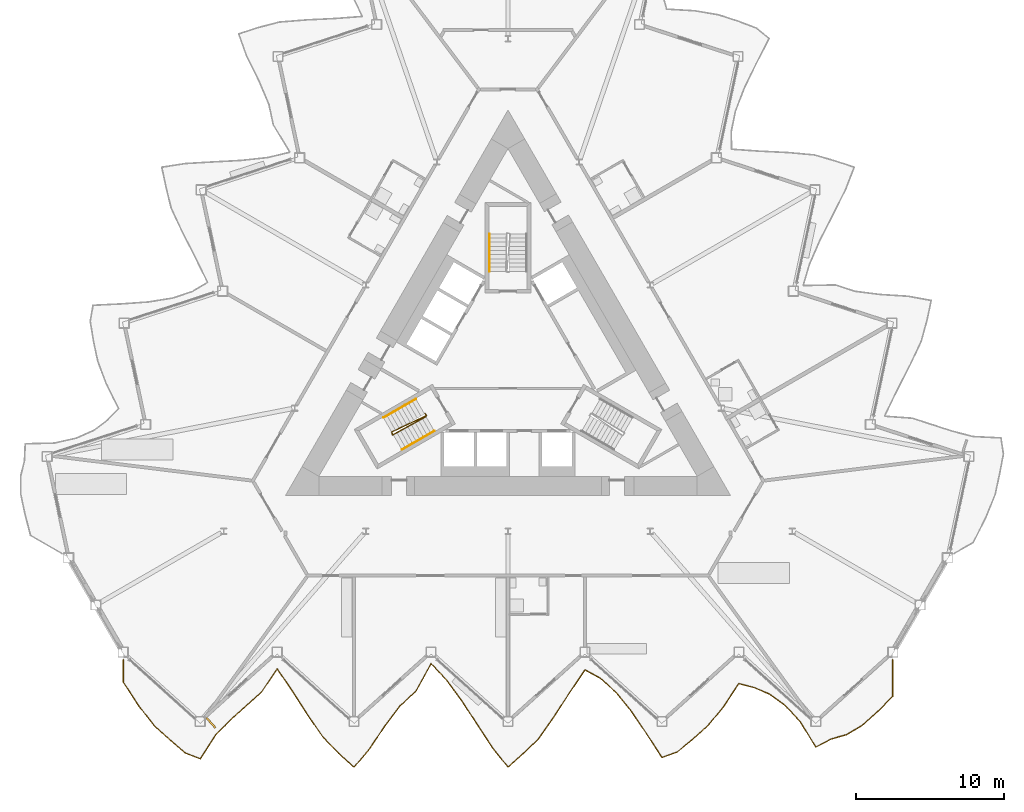
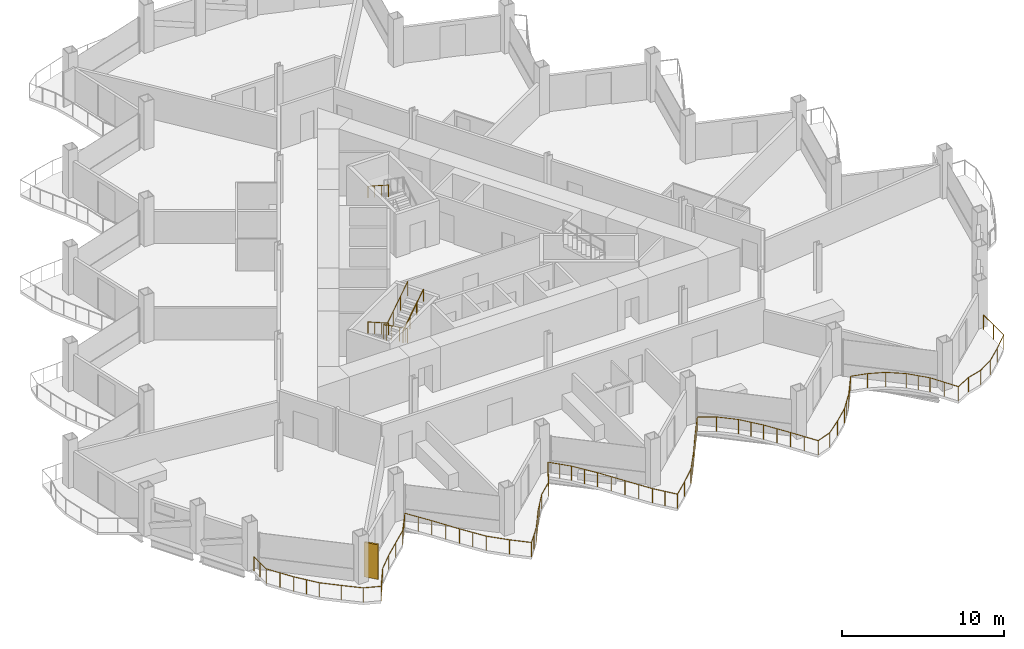
# One storey, part 19 of 24: 5 railings, 1 shading device.
"""IFC4 building model written with IfcOpenShell, lengths in metres."""

from ifc_helpers import new_model, si_unit, direction, frame, origin, origin_2d, place, context, subcontext, project, spatial, rectangle, circle, extrude, material, layer, layer_set, type_object, element, save


model = new_model("IFC4")

# Units and contexts
model_context = context("Model", 3, precision=1e-05, world=origin(), true_north=direction((0.0, 1.0)))
body_context = subcontext(model_context, "Body", "Model", "MODEL_VIEW")
ifc_project = project(units=[si_unit("LENGTHUNIT", "METRE"), si_unit("AREAUNIT", "SQUARE_METRE"), si_unit("VOLUMEUNIT", "CUBIC_METRE"), si_unit("PLANEANGLEUNIT", "RADIAN"), si_unit("MASSUNIT", "GRAM", prefix="KILO")], contexts=[model_context])

# Site, building, storey
site_placement = place(None, origin())
site = spatial("IfcSite", under=ifc_project, at=site_placement, CompositionType="ELEMENT")
building_placement = place(site_placement, origin())
building = spatial("IfcBuilding", under=site, at=building_placement, Name="Cormorant Prow Tower", CompositionType="ELEMENT")
storey_placement = place(building_placement, frame((0.0, 0.0, 274.199951171875)))
storey = spatial("IfcBuildingStorey", under=building, at=storey_placement, Name="L62", CompositionType="ELEMENT", Elevation=274.199951171875)

# Railings
ifc_material_1 = material(Name="Aluminium 6063-T6", Category="aluminium")
railing_type_1 = type_object("IfcRailingType", Name="Balcony guard 1100", PredefinedType="GUARDRAIL", material=ifc_material_1)
railing_1_placement = place(storey_placement, frame((-25.926025390625, -19.7265625, 0.0)))
element("IfcRailing", 1, at=railing_1_placement, inside=storey, type_object=railing_type_1, Name="Balcony guard S", PredefinedType="GUARDRAIL", context=body_context, shape_type="SweptSolid", body=[
    extrude(circle(Radius=0.02392578125, at=origin_2d()), frame((0.0, 0.0, 1.076171875), z_axis=(0.0, -1.0, 0.0), x_axis=(1.0, 0.0, 0.0)), (0.0, 0.0, 1.0), 1.52001953125),
    extrude(circle(Radius=0.02392578125, at=origin_2d()), frame((0.0, -1.52001953125, 1.076171875), z_axis=(0.547541043891, -0.836778826964, 0.0), x_axis=(0.836778826964, 0.547541043891, 0.0)), (0.0, 0.0, 1.0), 1.89404296875),
    extrude(circle(Radius=0.02392578125, at=origin_2d()), frame((1.037109375, -3.10498046875, 1.076171875), z_axis=(0.614110780822, -0.789219835584, 0.0), x_axis=(0.789219835584, 0.614110780822, 0.0)), (0.0, 0.0, 1.0), 1.6884765625),
    extrude(circle(Radius=0.02392578125, at=origin_2d()), frame((2.073974609375, -4.4375, 1.076171875), z_axis=(0.74313755135, -0.669138685008, 0.0), x_axis=(0.669138685008, 0.74313755135, 0.0)), (0.0, 0.0, 1.0), 1.3955078125),
    extrude(circle(Radius=0.02392578125, at=origin_2d()), frame((3.111083984375, -5.371337890625, 1.076171875), z_axis=(0.755213748372, -0.655478599399, 0.0), x_axis=(0.655478599399, 0.755213748372, 0.0)), (0.0, 0.0, 1.0), 1.373291015625),
    extrude(circle(Radius=0.02392578125, at=origin_2d()), frame((4.148193359375, -6.271484375, 1.076171875), z_axis=(0.931262185071, -0.364349753199, 0.0), x_axis=(0.364349753199, 0.931262185071, 0.0)), (0.0, 0.0, 1.0), 1.11376953125),
    extrude(circle(Radius=0.02392578125, at=origin_2d()), frame((5.185302734375, -6.67724609375, 1.076171875), z_axis=(0.542758382766, 0.83988888428, 0.0), x_axis=(-0.83988888428, 0.542758382766, 0.0)), (0.0, 0.0, 1.0), 1.910400390625),
    extrude(circle(Radius=0.02392578125, at=origin_2d()), frame((6.22216796875, -5.07275390625, 1.076171875), z_axis=(0.702213483406, 0.711966448453, 0.0), x_axis=(-0.711966448453, 0.702213483406, 0.0)), (0.0, 0.0, 1.0), 1.476806640625),
    extrude(circle(Radius=0.02392578125, at=origin_2d()), frame((7.25927734375, -4.021240234375, 1.076171875), z_axis=(0.74313755135, 0.669138685008, 0.0), x_axis=(-0.669138685008, 0.74313755135, 0.0)), (0.0, 0.0, 1.0), 1.3955078125),
    extrude(circle(Radius=0.02392578125, at=origin_2d()), frame((8.29638671875, -3.08740234375, 1.076171875), z_axis=(0.743146215582, 0.669129062488, 0.0), x_axis=(-0.669129062488, 0.743146215582, 0.0)), (0.0, 0.0, 1.0), 1.395263671875),
    extrude(circle(Radius=0.02392578125, at=origin_2d()), frame((9.333251953125, -2.15380859375, 1.076171875), z_axis=(0.560288076528, 0.828297815583, 0.0), x_axis=(-0.828297815583, 0.560288076528, 0.0)), (0.0, 0.0, 1.0), 1.85107421875),
    extrude(circle(Radius=0.02392578125, at=origin_2d()), frame((10.370361328125, -0.62060546875, 1.076171875), z_axis=(0.564226721732, -0.825619892253, 0.0), x_axis=(0.825619892253, 0.564226721732, 0.0)), (0.0, 0.0, 1.0), 1.838134765625),
    extrude(circle(Radius=0.02392578125, at=origin_2d()), frame((11.407470703125, -2.13818359375, 1.076171875), z_axis=(0.54151117577, -0.840693550895, 0.0), x_axis=(0.840693550895, 0.54151117577, 0.0)), (0.0, 0.0, 1.0), 1.915283203125),
    extrude(circle(Radius=0.02392578125, at=origin_2d()), frame((12.444580078125, -3.748291015625, 1.076171875), z_axis=(0.567492498185, -0.823378566945, 0.0), x_axis=(0.823378566945, 0.567492498185, 0.0)), (0.0, 0.0, 1.0), 1.8271484375),
    extrude(circle(Radius=0.02392578125, at=origin_2d()), frame((13.4814453125, -5.252685546875, 1.076171875), z_axis=(0.701965595228, -0.712210855798, 0.0), x_axis=(0.712210855798, 0.701965595228, 0.0)), (0.0, 0.0, 1.0), 1.4775390625),
    extrude(circle(Radius=0.02392578125, at=origin_2d()), frame((14.5185546875, -6.304931640625, 1.076171875), z_axis=(0.74313755135, -0.669138685008, 0.0), x_axis=(0.669138685008, 0.74313755135, 0.0)), (0.0, 0.0, 1.0), 1.3955078125),
    extrude(circle(Radius=0.02392578125, at=origin_2d()), frame((15.5556640625, -7.23876953125, 1.076171875), z_axis=(0.647382895173, 0.762164934275, 0.0), x_axis=(-0.762164934275, 0.647382895173, 0.0)), (0.0, 0.0, 1.0), 1.6015625),
    extrude(circle(Radius=0.02392578125, at=origin_2d()), frame((16.592529296875, -6.01806640625, 1.076171875), z_axis=(0.553316739633, 0.832970939254, 0.0), x_axis=(-0.832970939254, 0.553316739633, 0.0)), (0.0, 0.0, 1.0), 1.874267578125),
    extrude(circle(Radius=0.02392578125, at=origin_2d()), frame((17.629638671875, -4.456787109375, 1.076171875), z_axis=(0.60374549144, 0.797177133118, 0.0), x_axis=(-0.797177133118, 0.60374549144, 0.0)), (0.0, 0.0, 1.0), 1.7177734375),
    extrude(circle(Radius=0.02392578125, at=origin_2d()), frame((18.666748046875, -3.08740234375, 1.076171875), z_axis=(0.743146215582, 0.669129062488, 0.0), x_axis=(-0.669129062488, 0.743146215582, 0.0)), (0.0, 0.0, 1.0), 1.395263671875),
    extrude(circle(Radius=0.02392578125, at=origin_2d()), frame((19.70361328125, -2.15380859375, 1.076171875), z_axis=(0.48242873461, 0.875935223645, 0.0), x_axis=(-0.875935223645, 0.48242873461, 0.0)), (0.0, 0.0, 1.0), 2.149658203125),
    extrude(circle(Radius=0.02392578125, at=origin_2d()), frame((20.74072265625, -0.270751953125, 1.076171875), z_axis=(0.688148934059, -0.725569462253, 0.0), x_axis=(0.725569462253, 0.688148934059, 0.0)), (0.0, 0.0, 1.0), 1.507080078125),
    extrude(circle(Radius=0.02392578125, at=origin_2d()), frame((21.77783203125, -1.3642578125, 1.076171875), z_axis=(0.5918105085, -0.806077119157, 0.0), x_axis=(0.806077119157, 0.5918105085, 0.0)), (0.0, 0.0, 1.0), 1.75244140625),
    extrude(circle(Radius=0.02392578125, at=origin_2d()), frame((22.81494140625, -2.77685546875, 1.076171875), z_axis=(0.545859970661, -0.837876418352, 0.0), x_axis=(0.837876418352, 0.545859970661, 0.0)), (0.0, 0.0, 1.0), 1.8994140625),
    extrude(circle(Radius=0.02392578125, at=origin_2d()), frame((23.851806640625, -4.368408203125, 1.076171875), z_axis=(0.549317217459, -0.83561390283, 0.0), x_axis=(0.83561390283, 0.549317217459, 0.0)), (0.0, 0.0, 1.0), 1.887939453125),
    extrude(circle(Radius=0.02392578125, at=origin_2d()), frame((24.888916015625, -5.946044921875, 1.076171875), z_axis=(0.625772329513, -0.780005763835, 0.0), x_axis=(0.780005763835, 0.625772329513, 0.0)), (0.0, 0.0, 1.0), 1.6572265625),
    extrude(circle(Radius=0.02392578125, at=origin_2d()), frame((25.926025390625, -7.23876953125, 1.076171875), z_axis=(0.74313755135, 0.669138685008, 0.0), x_axis=(-0.669138685008, 0.74313755135, 0.0)), (0.0, 0.0, 1.0), 1.3955078125),
    extrude(circle(Radius=0.02392578125, at=origin_2d()), frame((26.963134765625, -6.304931640625, 1.076171875), z_axis=(0.721478951777, 0.692436366854, 0.0), x_axis=(-0.692436366854, 0.721478951777, 0.0)), (0.0, 0.0, 1.0), 1.4375),
    extrude(circle(Radius=0.02392578125, at=origin_2d()), frame((28.000244140625, -5.3095703125, 1.076171875), z_axis=(0.574487760884, 0.818513171912, 0.0), x_axis=(-0.818513171912, 0.574487760884, 0.0)), (0.0, 0.0, 1.0), 1.804931640625),
    extrude(circle(Radius=0.02392578125, at=origin_2d()), frame((29.037109375, -3.832275390625, 1.076171875), z_axis=(0.542150125271, 0.840281644253, 0.0), x_axis=(-0.840281644253, 0.542150125271, 0.0)), (0.0, 0.0, 1.0), 1.912841796875),
    extrude(circle(Radius=0.02392578125, at=origin_2d()), frame((30.07421875, -2.224853515625, 1.076171875), z_axis=(0.558456401722, 0.829533873556, 0.0), x_axis=(-0.829533873556, 0.558456401722, 0.0)), (0.0, 0.0, 1.0), 1.857177734375),
    extrude(circle(Radius=0.02392578125, at=origin_2d()), frame((31.111328125, -0.684326171875, 1.076171875), z_axis=(0.875727979387, -0.482804832327, 0.0), x_axis=(0.482804832327, 0.875727979387, 0.0)), (0.0, 0.0, 1.0), 1.184326171875),
    extrude(circle(Radius=0.02392578125, at=origin_2d()), frame((32.1484375, -1.256103515625, 1.076171875), z_axis=(0.747069541914, -0.664745890957, 0.0), x_axis=(0.664745890957, 0.747069541914, 0.0)), (0.0, 0.0, 1.0), 1.387939453125),
    extrude(circle(Radius=0.02392578125, at=origin_2d()), frame((33.185302734375, -2.1787109375, 1.076171875), z_axis=(0.630614979634, -0.776095836518, 0.0), x_axis=(0.776095836518, 0.630614979634, 0.0)), (0.0, 0.0, 1.0), 1.64453125),
    extrude(circle(Radius=0.02392578125, at=origin_2d()), frame((34.222412109375, -3.455078125, 1.076171875), z_axis=(0.561023343605, -0.82779998063, 0.0), x_axis=(0.82779998063, 0.561023343605, 0.0)), (0.0, 0.0, 1.0), 1.8486328125),
    extrude(circle(Radius=0.02392578125, at=origin_2d()), frame((35.259521484375, -4.9853515625, 1.076171875), z_axis=(0.541653272519, -0.840602005927, 0.0), x_axis=(0.840602005927, 0.541653272519, 0.0)), (0.0, 0.0, 1.0), 1.914306640625),
    extrude(circle(Radius=0.02392578125, at=origin_2d()), frame((36.29638671875, -6.594482421875, 1.076171875), z_axis=(0.939774044394, 0.341796350892, 0.0), x_axis=(-0.341796350892, 0.939774044394, 0.0)), (0.0, 0.0, 1.0), 1.103515625),
    extrude(circle(Radius=0.02392578125, at=origin_2d()), frame((37.33349609375, -6.21728515625, 1.076171875), z_axis=(0.774907342809, 0.6320748453, 0.0), x_axis=(-0.6320748453, 0.774907342809, 0.0)), (0.0, 0.0, 1.0), 1.33837890625),
    extrude(circle(Radius=0.02392578125, at=origin_2d()), frame((38.37060546875, -5.371337890625, 1.076171875), z_axis=(0.743059208084, 0.669225681875, 0.0), x_axis=(-0.669225681875, 0.743059208084, 0.0)), (0.0, 0.0, 1.0), 1.3955078125),
    extrude(circle(Radius=0.02392578125, at=origin_2d()), frame((39.407470703125, -4.4375, 1.076171875), z_axis=(0.635948602471, 0.77173141378, 0.0), x_axis=(-0.77173141378, 0.635948602471, 0.0)), (0.0, 0.0, 1.0), 1.630859375),
    extrude(circle(Radius=0.02392578125, at=origin_2d()), frame((40.444580078125, -3.178955078125, 1.076171875), z_axis=(0.551102441213, 0.834437594605, 0.0), x_axis=(-0.834437594605, 0.551102441213, 0.0)), (0.0, 0.0, 1.0), 1.8818359375),
    extrude(circle(Radius=0.02392578125, at=origin_2d()), frame((41.481689453125, -1.608642578125, 1.076171875), z_axis=(0.967459880376, -0.253024464948, 0.0), x_axis=(0.253024464948, 0.967459880376, 0.0)), (0.0, 0.0, 1.0), 1.072021484375),
    extrude(circle(Radius=0.02392578125, at=origin_2d()), frame((42.518798828125, -1.8798828125, 1.076171875), z_axis=(0.920796597535, -0.390043107833, 0.0), x_axis=(0.390043107833, 0.920796597535, 0.0)), (0.0, 0.0, 1.0), 1.1259765625),
    extrude(circle(Radius=0.02392578125, at=origin_2d()), frame((43.5556640625, -2.319091796875, 1.076171875), z_axis=(0.809501760751, -0.587117449358, 0.0), x_axis=(0.587117449358, 0.809501760751, 0.0)), (0.0, 0.0, 1.0), 1.28125),
    extrude(circle(Radius=0.02392578125, at=origin_2d()), frame((44.5927734375, -3.0712890625, 1.076171875), z_axis=(0.680033456826, -0.733181081041, 0.0), x_axis=(0.733181081041, 0.680033456826, 0.0)), (0.0, 0.0, 1.0), 1.525146484375),
    extrude(circle(Radius=0.02392578125, at=origin_2d()), frame((45.6298828125, -4.189453125, 1.076171875), z_axis=(0.520884337914, -0.853627264394, 0.0), x_axis=(0.853627264394, 0.520884337914, 0.0)), (0.0, 0.0, 1.0), 1.990478515625),
    extrude(circle(Radius=0.02392578125, at=origin_2d()), frame((46.666748046875, -5.888671875, 1.076171875), z_axis=(0.887127885549, 0.461523688104, 0.0), x_axis=(-0.461523688104, 0.887127885549, 0.0)), (0.0, 0.0, 1.0), 1.1689453125),
    extrude(circle(Radius=0.02392578125, at=origin_2d()), frame((47.703857421875, -5.34912109375, 1.076171875), z_axis=(0.961087325706, 0.276244732742, 0.0), x_axis=(-0.276244732742, 0.961087325706, 0.0)), (0.0, 0.0, 1.0), 1.0791015625),
    extrude(circle(Radius=0.02392578125, at=origin_2d()), frame((48.740966796875, -5.051025390625, 1.076171875), z_axis=(0.860676345197, 0.509152461271, 0.0), x_axis=(-0.509152461271, 0.860676345197, 0.0)), (0.0, 0.0, 1.0), 1.205078125),
    extrude(circle(Radius=0.02392578125, at=origin_2d()), frame((49.778076171875, -4.4375, 1.076171875), z_axis=(0.743059208084, 0.669225681875, 0.0), x_axis=(-0.669225681875, 0.743059208084, 0.0)), (0.0, 0.0, 1.0), 1.3955078125),
    extrude(circle(Radius=0.02392578125, at=origin_2d()), frame((50.81494140625, -3.503662109375, 1.076171875), z_axis=(0.711280362901, 0.702908418893, 0.0), x_axis=(-0.702908418893, 0.711280362901, 0.0)), (0.0, 0.0, 1.0), 1.4580078125),
    extrude(circle(Radius=0.02392578125, at=origin_2d()), frame((51.85205078125, -2.478759765625, 1.076171875), z_axis=(0.0, 1.0, 0.0), x_axis=(-1.0, 0.0, 0.0)), (0.0, 0.0, 1.0), 2.478759765625),
    extrude(circle(Radius=0.02099609375, at=origin_2d()), origin(), (0.0, 0.0, 1.0), 1.052001953125),
    extrude(circle(Radius=0.02099609375, at=origin_2d()), frame((0.0, -0.760009765625, 0.0)), (0.0, 0.0, 1.0), 1.052001953125),
    extrude(circle(Radius=0.02099609375, at=origin_2d()), frame((0.0, -1.52001953125, 0.0)), (0.0, 0.0, 1.0), 1.052001953125),
    extrude(circle(Radius=0.02099609375, at=origin_2d()), frame((0.5185546875, -2.3125, 0.0)), (0.0, 0.0, 1.0), 1.052001953125),
    extrude(circle(Radius=0.02099609375, at=origin_2d()), frame((1.037109375, -3.10498046875, 0.0)), (0.0, 0.0, 1.0), 1.052001953125),
    extrude(circle(Radius=0.02099609375, at=origin_2d()), frame((1.5556640625, -3.771240234375, 0.0)), (0.0, 0.0, 1.0), 1.052001953125),
    extrude(circle(Radius=0.02099609375, at=origin_2d()), frame((2.073974609375, -4.4375, 0.0)), (0.0, 0.0, 1.0), 1.052001953125),
    extrude(circle(Radius=0.02099609375, at=origin_2d()), frame((3.111083984375, -5.371337890625, 0.0)), (0.0, 0.0, 1.0), 1.052001953125),
    extrude(circle(Radius=0.02099609375, at=origin_2d()), frame((4.148193359375, -6.271484375, 0.0)), (0.0, 0.0, 1.0), 1.052001953125),
    extrude(circle(Radius=0.02099609375, at=origin_2d()), frame((5.185302734375, -6.67724609375, 0.0)), (0.0, 0.0, 1.0), 1.052001953125),
    extrude(circle(Radius=0.02099609375, at=origin_2d()), frame((5.70361328125, -5.875, 0.0)), (0.0, 0.0, 1.0), 1.052001953125),
    extrude(circle(Radius=0.02099609375, at=origin_2d()), frame((6.22216796875, -5.07275390625, 0.0)), (0.0, 0.0, 1.0), 1.052001953125),
    extrude(circle(Radius=0.02099609375, at=origin_2d()), frame((7.25927734375, -4.021240234375, 0.0)), (0.0, 0.0, 1.0), 1.052001953125),
    extrude(circle(Radius=0.02099609375, at=origin_2d()), frame((8.29638671875, -3.08740234375, 0.0)), (0.0, 0.0, 1.0), 1.052001953125),
    extrude(circle(Radius=0.02099609375, at=origin_2d()), frame((9.333251953125, -2.15380859375, 0.0)), (0.0, 0.0, 1.0), 1.052001953125),
    extrude(circle(Radius=0.02099609375, at=origin_2d()), frame((9.851806640625, -1.38720703125, 0.0)), (0.0, 0.0, 1.0), 1.052001953125),
    extrude(circle(Radius=0.02099609375, at=origin_2d()), frame((10.370361328125, -0.62060546875, 0.0)), (0.0, 0.0, 1.0), 1.052001953125),
    extrude(circle(Radius=0.02099609375, at=origin_2d()), frame((10.888916015625, -1.37939453125, 0.0)), (0.0, 0.0, 1.0), 1.052001953125),
    extrude(circle(Radius=0.02099609375, at=origin_2d()), frame((11.407470703125, -2.13818359375, 0.0)), (0.0, 0.0, 1.0), 1.052001953125),
    extrude(circle(Radius=0.02099609375, at=origin_2d()), frame((11.926025390625, -2.943359375, 0.0)), (0.0, 0.0, 1.0), 1.052001953125),
    extrude(circle(Radius=0.02099609375, at=origin_2d()), frame((12.444580078125, -3.748291015625, 0.0)), (0.0, 0.0, 1.0), 1.052001953125),
    extrude(circle(Radius=0.02099609375, at=origin_2d()), frame((12.962890625, -4.50048828125, 0.0)), (0.0, 0.0, 1.0), 1.052001953125),
    extrude(circle(Radius=0.02099609375, at=origin_2d()), frame((13.4814453125, -5.252685546875, 0.0)), (0.0, 0.0, 1.0), 1.052001953125),
    extrude(circle(Radius=0.02099609375, at=origin_2d()), frame((14.5185546875, -6.304931640625, 0.0)), (0.0, 0.0, 1.0), 1.052001953125),
    extrude(circle(Radius=0.02099609375, at=origin_2d()), frame((15.5556640625, -7.23876953125, 0.0)), (0.0, 0.0, 1.0), 1.052001953125),
    extrude(circle(Radius=0.02099609375, at=origin_2d()), frame((16.07421875, -6.62841796875, 0.0)), (0.0, 0.0, 1.0), 1.052001953125),
    extrude(circle(Radius=0.02099609375, at=origin_2d()), frame((16.592529296875, -6.01806640625, 0.0)), (0.0, 0.0, 1.0), 1.052001953125),
    extrude(circle(Radius=0.02099609375, at=origin_2d()), frame((17.111083984375, -5.2373046875, 0.0)), (0.0, 0.0, 1.0), 1.052001953125),
    extrude(circle(Radius=0.02099609375, at=origin_2d()), frame((17.629638671875, -4.456787109375, 0.0)), (0.0, 0.0, 1.0), 1.052001953125),
    extrude(circle(Radius=0.02099609375, at=origin_2d()), frame((18.148193359375, -3.77197265625, 0.0)), (0.0, 0.0, 1.0), 1.052001953125),
    extrude(circle(Radius=0.02099609375, at=origin_2d()), frame((18.666748046875, -3.08740234375, 0.0)), (0.0, 0.0, 1.0), 1.052001953125),
    extrude(circle(Radius=0.02099609375, at=origin_2d()), frame((19.70361328125, -2.15380859375, 0.0)), (0.0, 0.0, 1.0), 1.052001953125),
    extrude(circle(Radius=0.02099609375, at=origin_2d()), frame((20.22216796875, -1.21240234375, 0.0)), (0.0, 0.0, 1.0), 1.052001953125),
    extrude(circle(Radius=0.02099609375, at=origin_2d()), frame((20.74072265625, -0.270751953125, 0.0)), (0.0, 0.0, 1.0), 1.052001953125),
    extrude(circle(Radius=0.02099609375, at=origin_2d()), frame((21.25927734375, -0.8173828125, 0.0)), (0.0, 0.0, 1.0), 1.052001953125),
    extrude(circle(Radius=0.02099609375, at=origin_2d()), frame((21.77783203125, -1.3642578125, 0.0)), (0.0, 0.0, 1.0), 1.052001953125),
    extrude(circle(Radius=0.02099609375, at=origin_2d()), frame((22.29638671875, -2.070556640625, 0.0)), (0.0, 0.0, 1.0), 1.052001953125),
    extrude(circle(Radius=0.02099609375, at=origin_2d()), frame((22.81494140625, -2.77685546875, 0.0)), (0.0, 0.0, 1.0), 1.052001953125),
    extrude(circle(Radius=0.02099609375, at=origin_2d()), frame((23.33349609375, -3.57275390625, 0.0)), (0.0, 0.0, 1.0), 1.052001953125),
    extrude(circle(Radius=0.02099609375, at=origin_2d()), frame((23.851806640625, -4.368408203125, 0.0)), (0.0, 0.0, 1.0), 1.052001953125),
    extrude(circle(Radius=0.02099609375, at=origin_2d()), frame((24.370361328125, -5.1572265625, 0.0)), (0.0, 0.0, 1.0), 1.052001953125),
    extrude(circle(Radius=0.02099609375, at=origin_2d()), frame((24.888916015625, -5.946044921875, 0.0)), (0.0, 0.0, 1.0), 1.052001953125),
    extrude(circle(Radius=0.02099609375, at=origin_2d()), frame((25.407470703125, -6.59228515625, 0.0)), (0.0, 0.0, 1.0), 1.052001953125),
    extrude(circle(Radius=0.02099609375, at=origin_2d()), frame((25.926025390625, -7.23876953125, 0.0)), (0.0, 0.0, 1.0), 1.052001953125),
    extrude(circle(Radius=0.02099609375, at=origin_2d()), frame((26.963134765625, -6.304931640625, 0.0)), (0.0, 0.0, 1.0), 1.052001953125),
    extrude(circle(Radius=0.02099609375, at=origin_2d()), frame((28.000244140625, -5.3095703125, 0.0)), (0.0, 0.0, 1.0), 1.052001953125),
    extrude(circle(Radius=0.02099609375, at=origin_2d()), frame((28.5185546875, -4.57080078125, 0.0)), (0.0, 0.0, 1.0), 1.052001953125),
    extrude(circle(Radius=0.02099609375, at=origin_2d()), frame((29.037109375, -3.832275390625, 0.0)), (0.0, 0.0, 1.0), 1.052001953125),
    extrude(circle(Radius=0.02099609375, at=origin_2d()), frame((29.5556640625, -3.028564453125, 0.0)), (0.0, 0.0, 1.0), 1.052001953125),
    extrude(circle(Radius=0.02099609375, at=origin_2d()), frame((30.07421875, -2.224853515625, 0.0)), (0.0, 0.0, 1.0), 1.052001953125),
    extrude(circle(Radius=0.02099609375, at=origin_2d()), frame((30.5927734375, -1.45458984375, 0.0)), (0.0, 0.0, 1.0), 1.052001953125),
    extrude(circle(Radius=0.02099609375, at=origin_2d()), frame((31.111328125, -0.684326171875, 0.0)), (0.0, 0.0, 1.0), 1.052001953125),
    extrude(circle(Radius=0.02099609375, at=origin_2d()), frame((32.1484375, -1.256103515625, 0.0)), (0.0, 0.0, 1.0), 1.052001953125),
    extrude(circle(Radius=0.02099609375, at=origin_2d()), frame((33.185302734375, -2.1787109375, 0.0)), (0.0, 0.0, 1.0), 1.052001953125),
    extrude(circle(Radius=0.02099609375, at=origin_2d()), frame((33.703857421875, -2.81689453125, 0.0)), (0.0, 0.0, 1.0), 1.052001953125),
    extrude(circle(Radius=0.02099609375, at=origin_2d()), frame((34.222412109375, -3.455078125, 0.0)), (0.0, 0.0, 1.0), 1.052001953125),
    extrude(circle(Radius=0.02099609375, at=origin_2d()), frame((34.740966796875, -4.22021484375, 0.0)), (0.0, 0.0, 1.0), 1.052001953125),
    extrude(circle(Radius=0.02099609375, at=origin_2d()), frame((35.259521484375, -4.9853515625, 0.0)), (0.0, 0.0, 1.0), 1.052001953125),
    extrude(circle(Radius=0.02099609375, at=origin_2d()), frame((35.77783203125, -5.7900390625, 0.0)), (0.0, 0.0, 1.0), 1.052001953125),
    extrude(circle(Radius=0.02099609375, at=origin_2d()), frame((36.29638671875, -6.594482421875, 0.0)), (0.0, 0.0, 1.0), 1.052001953125),
    extrude(circle(Radius=0.02099609375, at=origin_2d()), frame((37.33349609375, -6.21728515625, 0.0)), (0.0, 0.0, 1.0), 1.052001953125),
    extrude(circle(Radius=0.02099609375, at=origin_2d()), frame((38.37060546875, -5.371337890625, 0.0)), (0.0, 0.0, 1.0), 1.052001953125),
    extrude(circle(Radius=0.02099609375, at=origin_2d()), frame((39.407470703125, -4.4375, 0.0)), (0.0, 0.0, 1.0), 1.052001953125),
    extrude(circle(Radius=0.02099609375, at=origin_2d()), frame((39.926025390625, -3.80810546875, 0.0)), (0.0, 0.0, 1.0), 1.052001953125),
    extrude(circle(Radius=0.02099609375, at=origin_2d()), frame((40.444580078125, -3.178955078125, 0.0)), (0.0, 0.0, 1.0), 1.052001953125),
    extrude(circle(Radius=0.02099609375, at=origin_2d()), frame((40.963134765625, -2.393798828125, 0.0)), (0.0, 0.0, 1.0), 1.052001953125),
    extrude(circle(Radius=0.02099609375, at=origin_2d()), frame((41.481689453125, -1.608642578125, 0.0)), (0.0, 0.0, 1.0), 1.052001953125),
    extrude(circle(Radius=0.02099609375, at=origin_2d()), frame((42.518798828125, -1.8798828125, 0.0)), (0.0, 0.0, 1.0), 1.052001953125),
    extrude(circle(Radius=0.02099609375, at=origin_2d()), frame((43.5556640625, -2.319091796875, 0.0)), (0.0, 0.0, 1.0), 1.052001953125),
    extrude(circle(Radius=0.02099609375, at=origin_2d()), frame((44.5927734375, -3.0712890625, 0.0)), (0.0, 0.0, 1.0), 1.052001953125),
    extrude(circle(Radius=0.02099609375, at=origin_2d()), frame((45.111328125, -3.63037109375, 0.0)), (0.0, 0.0, 1.0), 1.052001953125),
    extrude(circle(Radius=0.02099609375, at=origin_2d()), frame((45.6298828125, -4.189453125, 0.0)), (0.0, 0.0, 1.0), 1.052001953125),
    extrude(circle(Radius=0.02099609375, at=origin_2d()), frame((46.1484375, -5.0390625, 0.0)), (0.0, 0.0, 1.0), 1.052001953125),
    extrude(circle(Radius=0.02099609375, at=origin_2d()), frame((46.666748046875, -5.888671875, 0.0)), (0.0, 0.0, 1.0), 1.052001953125),
    extrude(circle(Radius=0.02099609375, at=origin_2d()), frame((47.703857421875, -5.34912109375, 0.0)), (0.0, 0.0, 1.0), 1.052001953125),
    extrude(circle(Radius=0.02099609375, at=origin_2d()), frame((48.740966796875, -5.051025390625, 0.0)), (0.0, 0.0, 1.0), 1.052001953125),
    extrude(circle(Radius=0.02099609375, at=origin_2d()), frame((49.778076171875, -4.4375, 0.0)), (0.0, 0.0, 1.0), 1.052001953125),
    extrude(circle(Radius=0.02099609375, at=origin_2d()), frame((50.81494140625, -3.503662109375, 0.0)), (0.0, 0.0, 1.0), 1.052001953125),
    extrude(circle(Radius=0.02099609375, at=origin_2d()), frame((51.85205078125, -2.478759765625, 0.0)), (0.0, 0.0, 1.0), 1.052001953125),
    extrude(circle(Radius=0.02099609375, at=origin_2d()), frame((51.85205078125, -1.2392578125, 0.0)), (0.0, 0.0, 1.0), 1.052001953125),
    extrude(circle(Radius=0.02099609375, at=origin_2d()), frame((51.85205078125, 0.0, 0.0)), (0.0, 0.0, 1.0), 1.052001953125),
])
ifc_material_2 = material(Name="Stainless steel", Category="steel")
railing_type_2 = type_object("IfcRailingType", Name="Stair guard 1100", PredefinedType="GUARDRAIL", material=ifc_material_2)
railing_2_placement = place(storey_placement, frame((-5.585205078125, -3.137939453125, 0.0)))
element("IfcRailing", 2, at=railing_2_placement, inside=storey, type_object=railing_type_2, Name="L62 ST1 stair guard 1", PredefinedType="GUARDRAIL", context=body_context, shape_type="SweptSolid", body=[
    extrude(circle(Radius=0.02392578125, at=origin_2d()), frame((0.0, 0.0, 1.076171875), z_axis=(0.501036270542, -0.865426285481, 0.0), x_axis=(0.865426285481, 0.501036270542, 0.0)), (0.0, 0.0, 1.0), 0.150146484375),
    extrude(circle(Radius=0.02392578125, at=origin_2d()), frame((0.0751953125, -0.1298828125, 1.076171875), z_axis=(-0.739707038506, -0.353624380995, 0.572523619033), x_axis=(0.431308035802, -0.902204731895, 0.0)), (0.0, 0.0, 1.0), 3.14404296875),
    extrude(circle(Radius=0.02392578125, at=origin_2d()), frame((-2.25048828125, -1.24169921875, 2.8759765625), z_axis=(0.274721127897, -0.961523947641, 0.0), x_axis=(0.961523947641, 0.274721127897, 0.0)), (0.0, 0.0, 1.0), 0.2060546875),
    extrude(circle(Radius=0.02392578125, at=origin_2d()), frame((-2.19384765625, -1.43994140625, 2.8759765625), z_axis=(0.717223475266, 0.39568267656, 0.573607623727), x_axis=(-0.483052234887, 0.87559153626, 0.0)), (0.0, 0.0, 1.0), 3.13818359375),
    extrude(circle(Radius=0.02099609375, at=origin_2d()), origin(), (0.0, 0.0, 1.0), 1.052001953125),
    extrude(circle(Radius=0.02099609375, at=origin_2d()), frame((0.0751953125, -0.1298828125, 0.0)), (0.0, 0.0, 1.0), 1.052001953125),
    extrude(circle(Radius=0.02099609375, at=origin_2d()), frame((-0.699951171875, -0.50048828125, 0.60009765625)), (0.0, 0.0, 1.0), 1.052001953125),
    extrude(circle(Radius=0.02099609375, at=origin_2d()), frame((-1.475341796875, -0.87109375, 1.199951171875)), (0.0, 0.0, 1.0), 1.052001953125),
    extrude(circle(Radius=0.02099609375, at=origin_2d()), frame((-2.25048828125, -1.24169921875, 1.800048828125)), (0.0, 0.0, 1.0), 1.052001953125),
    extrude(circle(Radius=0.02099609375, at=origin_2d()), frame((-2.19384765625, -1.43994140625, 1.800048828125)), (0.0, 0.0, 1.0), 1.052001953125),
    extrude(circle(Radius=0.02099609375, at=origin_2d()), frame((-1.443603515625, -1.026123046875, 2.400146484375)), (0.0, 0.0, 1.0), 1.052001953125),
    extrude(circle(Radius=0.02099609375, at=origin_2d()), frame((-0.693359375, -0.612060546875, 3.0)), (0.0, 0.0, 1.0), 1.052001953125),
    extrude(circle(Radius=0.02099609375, at=origin_2d()), frame((0.056884765625, -0.1982421875, 3.60009765625)), (0.0, 0.0, 1.0), 1.052001953125),
])
ifc_material_3 = material(Name="Stainless steel", Category="steel")
railing_type_3 = type_object("IfcRailingType", Name="Stair handrail 900", PredefinedType="HANDRAIL", material=ifc_material_3)
railing_3_placement = place(storey_placement, frame((-6.212890625, -2.150634765625, 0.179931640625)))
element("IfcRailing", 3, at=railing_3_placement, inside=storey, type_object=railing_type_3, Name="L62 ST1 stair handrail 1", PredefinedType="HANDRAIL", context=body_context, shape_type="SweptSolid", body=[
    extrude(circle(Radius=0.02392578125, at=origin_2d()), frame((0.0, 0.0, 0.8759765625), z_axis=(-0.728463801763, -0.420584145978, 0.540785970299), x_axis=(0.500004791531, -0.866022637375, 0.0)), (0.0, 0.0, 1.0), 2.995849609375),
    extrude(circle(Radius=0.02099609375, at=origin_2d()), origin(), (0.0, 0.0, 1.0), 0.851806640625),
    extrude(circle(Radius=0.02099609375, at=origin_2d()), frame((-0.7275390625, -0.419921875, 0.5400390625)), (0.0, 0.0, 1.0), 0.851806640625),
    extrude(circle(Radius=0.02099609375, at=origin_2d()), frame((-1.454833984375, -0.840087890625, 1.080078125)), (0.0, 0.0, 1.0), 0.851806640625),
    extrude(circle(Radius=0.02099609375, at=origin_2d()), frame((-2.182373046875, -1.260009765625, 1.6201171875)), (0.0, 0.0, 1.0), 0.851806640625),
])
railing_4_placement = place(storey_placement, frame((-7.1513671875, -5.565185546875, 1.97998046875)))
element("IfcRailing", 4, at=railing_4_placement, inside=storey, type_object=railing_type_3, Name="L62 ST1 stair handrail 2", PredefinedType="HANDRAIL", context=body_context, shape_type="SweptSolid", body=[
    extrude(circle(Radius=0.02392578125, at=origin_2d()), frame((0.0, 0.0, 0.8759765625), z_axis=(0.728463801763, 0.420584145978, 0.540785970299), x_axis=(-0.500004791531, 0.866022637375, 0.0)), (0.0, 0.0, 1.0), 2.995849609375),
    extrude(circle(Radius=0.02099609375, at=origin_2d()), origin(), (0.0, 0.0, 1.0), 0.851806640625),
    extrude(circle(Radius=0.02099609375, at=origin_2d()), frame((0.7275390625, 0.419921875, 0.5400390625)), (0.0, 0.0, 1.0), 0.851806640625),
    extrude(circle(Radius=0.02099609375, at=origin_2d()), frame((1.454833984375, 0.840087890625, 1.080078125)), (0.0, 0.0, 1.0), 0.851806640625),
    extrude(circle(Radius=0.02099609375, at=origin_2d()), frame((2.182373046875, 1.260009765625, 1.6201171875)), (0.0, 0.0, 1.0), 0.851806640625),
])
railing_5_placement = place(storey_placement, frame((-1.243896484375, 8.975830078125, 1.97998046875)))
element("IfcRailing", 5, at=railing_5_placement, inside=storey, type_object=railing_type_3, Name="L62 ST3 stair handrail 2", PredefinedType="HANDRAIL", context=body_context, shape_type="SweptSolid", body=[
    extrude(circle(Radius=0.02392578125, at=origin_2d()), frame((0.0, 0.0, 0.8759765625), z_axis=(0.0, -0.841162588446, 0.540782303519), x_axis=(1.0, 0.0, 0.0)), (0.0, 0.0, 1.0), 2.995849609375),
    extrude(circle(Radius=0.02099609375, at=origin_2d()), origin(), (0.0, 0.0, 1.0), 0.851806640625),
    extrude(circle(Radius=0.02099609375, at=origin_2d()), frame((0.0, -0.840087890625, 0.5400390625)), (0.0, 0.0, 1.0), 0.851806640625),
    extrude(circle(Radius=0.02099609375, at=origin_2d()), frame((0.0, -1.679931640625, 1.080078125)), (0.0, 0.0, 1.0), 0.851806640625),
    extrude(circle(Radius=0.02099609375, at=origin_2d()), frame((0.0, -2.52001953125, 1.6201171875)), (0.0, 0.0, 1.0), 0.851806640625),
])

# Shading device
ifc_material_4 = material(Name="Terracotta", Category="masonry")
ifc_layer = layer(ifc_material_4, 0.1201171875)
ifc_layer_set = layer_set([ifc_layer], Name="Terracotta")
shading_device_type = type_object("IfcShadingDeviceType", Name="Terracotta baguette fin 120x900x2600", PredefinedType="USERDEFINED", material=ifc_layer_set)
shading_device_placement = place(storey_placement, frame((-20.02294921875, -23.974365234375, 0.0), z_axis=(0.0, 0.0, 1.0), x_axis=(0.743144822266, 0.669130609926, 0.0)))
element("IfcShadingDevice", 6, at=shading_device_placement, inside=storey, type_object=shading_device_type, Name="Baguette fin S01", ObjectType="BAGUETTE", PredefinedType="USERDEFINED", context=body_context, shape_type="SweptSolid", body=[
    extrude(rectangle(XDim=0.1201171875, YDim=0.89990234375, at=origin_2d()), origin(), (0.0, 0.0, 1.0), 2.60009765625),
])

save(model, "model.ifc")
